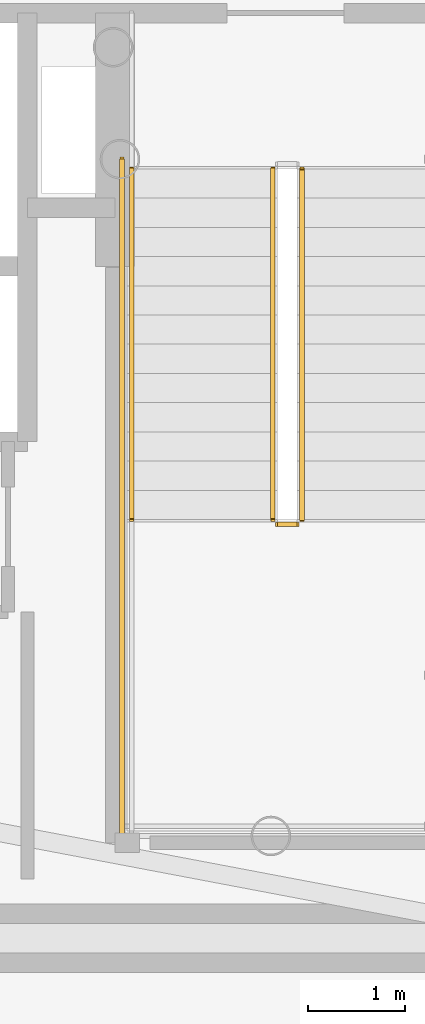
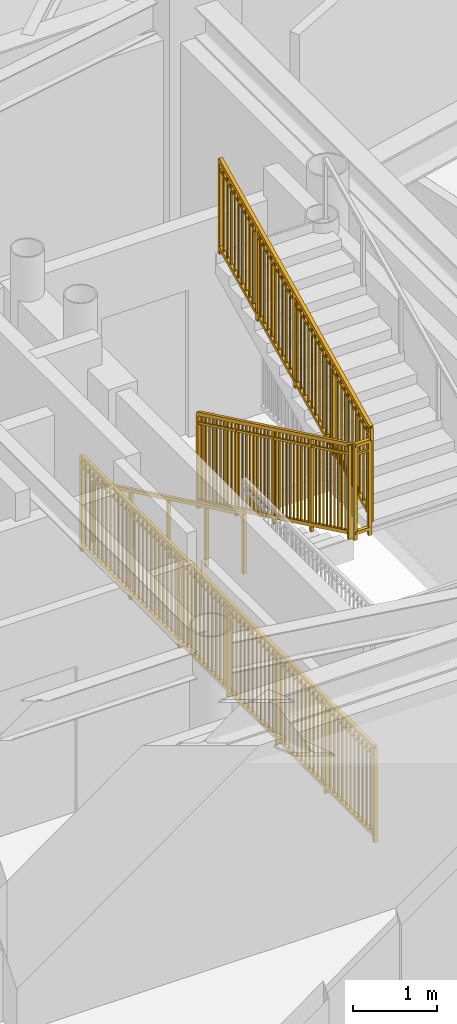
# One storey, part 14 of 18: 5 railings.
"""IFC4 building model written with IfcOpenShell, lengths in metres."""

from ifc_helpers import new_model, si_unit, direction, frame, origin, origin_2d, place, context, subcontext, project, spatial, rectangle, extrude, source, transform, mapped, material, type_object, element, save


model = new_model("IFC4")

# Units and contexts
model_context = context("Model", 3, precision=1e-05, world=origin(), true_north=direction((0.0, 1.0)))
body_context = subcontext(model_context, "Body", "Model", "MODEL_VIEW")
ifc_project = project(units=[si_unit("LENGTHUNIT", "METRE"), si_unit("AREAUNIT", "SQUARE_METRE"), si_unit("VOLUMEUNIT", "CUBIC_METRE"), si_unit("PLANEANGLEUNIT", "RADIAN"), si_unit("MASSUNIT", "GRAM", prefix="KILO")], contexts=[model_context])

# Site, building, storey
site_placement = place(None, origin())
site = spatial("IfcSite", under=ifc_project, at=site_placement, CompositionType="ELEMENT")
building_placement = place(site_placement, origin())
building = spatial("IfcBuilding", under=site, at=building_placement, Name="Linh Dai School and Residence Tower", CompositionType="ELEMENT")
storey_placement = place(building_placement, frame((0.0, 0.0, 225.300048828125)))
storey = spatial("IfcBuildingStorey", under=building, at=storey_placement, Name="L55", CompositionType="ELEMENT", Elevation=225.300048828125)

# Railings
ifc_material_1 = material(Name="Structural Steel S355JR", Category="steel")
railing_type_1 = type_object("IfcRailingType", Name="RL-ST-GUARD-1400", PredefinedType="GUARDRAIL", material=ifc_material_1)
shared_shape_1 = source(origin(), body_context, "Body", "SweptSolid", [
    extrude(rectangle(XDim=0.048095703125, YDim=0.048095703125, at=origin_2d()), frame((0.0, 0.0, 1.3759765625), z_axis=(0.0, 0.901262522062, 0.433273431364), x_axis=(-1.0, 0.0, 0.0)), (0.0, 0.0, 1.0), 3.994384765625),
    extrude(rectangle(XDim=0.048095703125, YDim=0.048095703125, at=origin_2d()), frame((0.0, 0.0, 0.10009765625), z_axis=(0.0, 0.901262522062, 0.433273431364), x_axis=(-1.0, 0.0, 0.0)), (0.0, 0.0, 1.0), 3.994384765625),
    extrude(rectangle(XDim=0.030029296875, YDim=0.030029296875, at=origin_2d()), frame((0.0, 0.0, 1.239990234375), z_axis=(0.0, 0.901262522062, 0.433273431364), x_axis=(-1.0, 0.0, 0.0)), (0.0, 0.0, 1.0), 3.994384765625),
    extrude(rectangle(XDim=0.02001953125, YDim=0.02001953125, at=origin_2d()), frame((0.0, 0.087890625, 0.142333984375)), (0.0, 0.0, 1.0), 1.251708984375),
    extrude(rectangle(XDim=0.02001953125, YDim=0.02001953125, at=origin_2d()), frame((0.0, 0.175537109375, 0.1845703125)), (0.0, 0.0, 1.0), 1.251708984375),
    extrude(rectangle(XDim=0.02001953125, YDim=0.02001953125, at=origin_2d()), frame((0.0, 0.263427734375, 0.226806640625)), (0.0, 0.0, 1.0), 1.251708984375),
    extrude(rectangle(XDim=0.02001953125, YDim=0.02001953125, at=origin_2d()), frame((0.0, 0.351318359375, 0.26904296875)), (0.0, 0.0, 1.0), 1.251708984375),
    extrude(rectangle(XDim=0.02001953125, YDim=0.02001953125, at=origin_2d()), frame((0.0, 0.43896484375, 0.311279296875)), (0.0, 0.0, 1.0), 1.251708984375),
    extrude(rectangle(XDim=0.02001953125, YDim=0.02001953125, at=origin_2d()), frame((0.0, 0.52685546875, 0.353271484375)), (0.0, 0.0, 1.0), 1.251708984375),
    extrude(rectangle(XDim=0.02001953125, YDim=0.02001953125, at=origin_2d()), frame((0.0, 0.61474609375, 0.3955078125)), (0.0, 0.0, 1.0), 1.251708984375),
    extrude(rectangle(XDim=0.02001953125, YDim=0.02001953125, at=origin_2d()), frame((0.0, 0.702392578125, 0.437744140625)), (0.0, 0.0, 1.0), 1.251708984375),
    extrude(rectangle(XDim=0.02001953125, YDim=0.02001953125, at=origin_2d()), frame((0.0, 0.790283203125, 0.47998046875)), (0.0, 0.0, 1.0), 1.251708984375),
    extrude(rectangle(XDim=0.02001953125, YDim=0.02001953125, at=origin_2d()), frame((0.0, 0.9658203125, 0.564453125)), (0.0, 0.0, 1.0), 1.251708984375),
    extrude(rectangle(XDim=0.02001953125, YDim=0.02001953125, at=origin_2d()), frame((0.0, 1.0537109375, 0.606689453125)), (0.0, 0.0, 1.0), 1.251708984375),
    extrude(rectangle(XDim=0.02001953125, YDim=0.02001953125, at=origin_2d()), frame((0.0, 1.1416015625, 0.64892578125)), (0.0, 0.0, 1.0), 1.251708984375),
    extrude(rectangle(XDim=0.02001953125, YDim=0.02001953125, at=origin_2d()), frame((0.0, 1.229248046875, 0.691162109375)), (0.0, 0.0, 1.0), 1.251708984375),
    extrude(rectangle(XDim=0.02001953125, YDim=0.02001953125, at=origin_2d()), frame((0.0, 1.317138671875, 0.7333984375)), (0.0, 0.0, 1.0), 1.251708984375),
    extrude(rectangle(XDim=0.02001953125, YDim=0.02001953125, at=origin_2d()), frame((0.0, 1.405029296875, 0.775390625)), (0.0, 0.0, 1.0), 1.251708984375),
    extrude(rectangle(XDim=0.02001953125, YDim=0.02001953125, at=origin_2d()), frame((0.0, 1.49267578125, 0.817626953125)), (0.0, 0.0, 1.0), 1.251708984375),
    extrude(rectangle(XDim=0.02001953125, YDim=0.02001953125, at=origin_2d()), frame((0.0, 1.58056640625, 0.85986328125)), (0.0, 0.0, 1.0), 1.251708984375),
    extrude(rectangle(XDim=0.02001953125, YDim=0.02001953125, at=origin_2d()), frame((0.0, 1.66845703125, 0.902099609375)), (0.0, 0.0, 1.0), 1.251708984375),
    extrude(rectangle(XDim=0.02001953125, YDim=0.02001953125, at=origin_2d()), frame((0.0, 1.756103515625, 0.9443359375)), (0.0, 0.0, 1.0), 1.251708984375),
    extrude(rectangle(XDim=0.02001953125, YDim=0.02001953125, at=origin_2d()), frame((0.0, 1.843994140625, 0.986572265625)), (0.0, 0.0, 1.0), 1.251708984375),
    extrude(rectangle(XDim=0.02001953125, YDim=0.02001953125, at=origin_2d()), frame((0.0, 1.931640625, 1.02880859375)), (0.0, 0.0, 1.0), 1.251708984375),
    extrude(rectangle(XDim=0.02001953125, YDim=0.02001953125, at=origin_2d()), frame((0.0, 2.01953125, 1.071044921875)), (0.0, 0.0, 1.0), 1.251708984375),
    extrude(rectangle(XDim=0.02001953125, YDim=0.02001953125, at=origin_2d()), frame((0.0, 2.107421875, 1.11328125)), (0.0, 0.0, 1.0), 1.251708984375),
    extrude(rectangle(XDim=0.02001953125, YDim=0.02001953125, at=origin_2d()), frame((0.0, 2.195068359375, 1.155517578125)), (0.0, 0.0, 1.0), 1.251708984375),
    extrude(rectangle(XDim=0.02001953125, YDim=0.02001953125, at=origin_2d()), frame((0.0, 2.282958984375, 1.197509765625)), (0.0, 0.0, 1.0), 1.251708984375),
    extrude(rectangle(XDim=0.02001953125, YDim=0.02001953125, at=origin_2d()), frame((0.0, 2.370849609375, 1.23974609375)), (0.0, 0.0, 1.0), 1.251708984375),
    extrude(rectangle(XDim=0.02001953125, YDim=0.02001953125, at=origin_2d()), frame((0.0, 2.45849609375, 1.281982421875)), (0.0, 0.0, 1.0), 1.251708984375),
    extrude(rectangle(XDim=0.02001953125, YDim=0.02001953125, at=origin_2d()), frame((0.0, 2.54638671875, 1.32421875)), (0.0, 0.0, 1.0), 1.251708984375),
    extrude(rectangle(XDim=0.02001953125, YDim=0.02001953125, at=origin_2d()), frame((0.0, 2.63427734375, 1.366455078125)), (0.0, 0.0, 1.0), 1.251708984375),
    extrude(rectangle(XDim=0.02001953125, YDim=0.02001953125, at=origin_2d()), frame((0.0, 2.809814453125, 1.450927734375)), (0.0, 0.0, 1.0), 1.251708984375),
    extrude(rectangle(XDim=0.02001953125, YDim=0.02001953125, at=origin_2d()), frame((0.0, 2.897705078125, 1.4931640625)), (0.0, 0.0, 1.0), 1.251708984375),
    extrude(rectangle(XDim=0.02001953125, YDim=0.02001953125, at=origin_2d()), frame((0.0, 2.9853515625, 1.535400390625)), (0.0, 0.0, 1.0), 1.251708984375),
    extrude(rectangle(XDim=0.02001953125, YDim=0.02001953125, at=origin_2d()), frame((0.0, 3.0732421875, 1.57763671875)), (0.0, 0.0, 1.0), 1.251708984375),
    extrude(rectangle(XDim=0.02001953125, YDim=0.02001953125, at=origin_2d()), frame((0.0, 3.1611328125, 1.61962890625)), (0.0, 0.0, 1.0), 1.251708984375),
    extrude(rectangle(XDim=0.02001953125, YDim=0.02001953125, at=origin_2d()), frame((0.0, 3.248779296875, 1.661865234375)), (0.0, 0.0, 1.0), 1.251708984375),
    extrude(rectangle(XDim=0.02001953125, YDim=0.02001953125, at=origin_2d()), frame((0.0, 3.336669921875, 1.7041015625)), (0.0, 0.0, 1.0), 1.251708984375),
    extrude(rectangle(XDim=0.02001953125, YDim=0.02001953125, at=origin_2d()), frame((0.0, 3.424560546875, 1.746337890625)), (0.0, 0.0, 1.0), 1.251708984375),
    extrude(rectangle(XDim=0.02001953125, YDim=0.02001953125, at=origin_2d()), frame((0.0, 3.51220703125, 1.78857421875)), (0.0, 0.0, 1.0), 1.251708984375),
    extrude(rectangle(XDim=0.0419921875, YDim=0.0419921875, at=origin_2d()), origin(), (0.0, 0.0, 1.0), 1.3759765625),
    extrude(rectangle(XDim=0.0419921875, YDim=0.0419921875, at=origin_2d()), frame((0.0, 0.89990234375, 0.4326171875)), (0.0, 0.0, 1.0), 1.3759765625),
    extrude(rectangle(XDim=0.0419921875, YDim=0.0419921875, at=origin_2d()), frame((0.0, 1.800048828125, 0.865234375)), (0.0, 0.0, 1.0), 1.3759765625),
    extrude(rectangle(XDim=0.0419921875, YDim=0.0419921875, at=origin_2d()), frame((0.0, 2.7001953125, 1.298095703125)), (0.0, 0.0, 1.0), 1.3759765625),
    extrude(rectangle(XDim=0.0419921875, YDim=0.0419921875, at=origin_2d()), frame((0.0, 3.60009765625, 1.730712890625)), (0.0, 0.0, 1.0), 1.3759765625),
])
railing_1_placement = place(storey_placement, frame((42.820068359375, 24.64990234375, 2.019287109375)))
element("IfcRailing", 1, at=railing_1_placement, inside=storey, type_object=railing_type_1, Name="L55 ST2 stair guard 6", PredefinedType="GUARDRAIL", context=body_context, shape_type="MappedRepresentation", body=[
    mapped(shared_shape_1, transform((0.0, 0.0, 0.0), x_axis=(1.0, 0.0, 0.0), y_axis=(0.0, 1.0, 0.0), z_axis=(0.0, 0.0, 1.0), scale=1.0)),
])
shared_shape_2 = source(origin(), body_context, "Body", "SweptSolid", [
    extrude(rectangle(XDim=0.048095703125, YDim=0.048095703125, at=origin_2d()), frame((0.0, 0.0, 1.3759765625), z_axis=(0.0, -0.901262522062, 0.433273431364), x_axis=(1.0, 0.0, 0.0)), (0.0, 0.0, 1.0), 3.994384765625),
    extrude(rectangle(XDim=0.048095703125, YDim=0.048095703125, at=origin_2d()), frame((0.0, 0.0, 0.10009765625), z_axis=(0.0, -0.901262522062, 0.433273431364), x_axis=(1.0, 0.0, 0.0)), (0.0, 0.0, 1.0), 3.994384765625),
    extrude(rectangle(XDim=0.030029296875, YDim=0.030029296875, at=origin_2d()), frame((0.0, 0.0, 1.239990234375), z_axis=(0.0, -0.901262522062, 0.433273431364), x_axis=(1.0, 0.0, 0.0)), (0.0, 0.0, 1.0), 3.994384765625),
    extrude(rectangle(XDim=0.02001953125, YDim=0.02001953125, at=origin_2d()), frame((0.0, -0.087890625, 0.142333984375)), (0.0, 0.0, 1.0), 1.251708984375),
    extrude(rectangle(XDim=0.02001953125, YDim=0.02001953125, at=origin_2d()), frame((0.0, -0.175537109375, 0.1845703125)), (0.0, 0.0, 1.0), 1.251708984375),
    extrude(rectangle(XDim=0.02001953125, YDim=0.02001953125, at=origin_2d()), frame((0.0, -0.263427734375, 0.226806640625)), (0.0, 0.0, 1.0), 1.251708984375),
    extrude(rectangle(XDim=0.02001953125, YDim=0.02001953125, at=origin_2d()), frame((0.0, -0.351318359375, 0.26904296875)), (0.0, 0.0, 1.0), 1.251708984375),
    extrude(rectangle(XDim=0.02001953125, YDim=0.02001953125, at=origin_2d()), frame((0.0, -0.43896484375, 0.311279296875)), (0.0, 0.0, 1.0), 1.251708984375),
    extrude(rectangle(XDim=0.02001953125, YDim=0.02001953125, at=origin_2d()), frame((0.0, -0.52685546875, 0.353271484375)), (0.0, 0.0, 1.0), 1.251708984375),
    extrude(rectangle(XDim=0.02001953125, YDim=0.02001953125, at=origin_2d()), frame((0.0, -0.61474609375, 0.3955078125)), (0.0, 0.0, 1.0), 1.251708984375),
    extrude(rectangle(XDim=0.02001953125, YDim=0.02001953125, at=origin_2d()), frame((0.0, -0.702392578125, 0.437744140625)), (0.0, 0.0, 1.0), 1.251708984375),
    extrude(rectangle(XDim=0.02001953125, YDim=0.02001953125, at=origin_2d()), frame((0.0, -0.790283203125, 0.47998046875)), (0.0, 0.0, 1.0), 1.251708984375),
    extrude(rectangle(XDim=0.02001953125, YDim=0.02001953125, at=origin_2d()), frame((0.0, -0.9658203125, 0.564453125)), (0.0, 0.0, 1.0), 1.251708984375),
    extrude(rectangle(XDim=0.02001953125, YDim=0.02001953125, at=origin_2d()), frame((0.0, -1.0537109375, 0.606689453125)), (0.0, 0.0, 1.0), 1.251708984375),
    extrude(rectangle(XDim=0.02001953125, YDim=0.02001953125, at=origin_2d()), frame((0.0, -1.1416015625, 0.64892578125)), (0.0, 0.0, 1.0), 1.251708984375),
    extrude(rectangle(XDim=0.02001953125, YDim=0.02001953125, at=origin_2d()), frame((0.0, -1.229248046875, 0.691162109375)), (0.0, 0.0, 1.0), 1.251708984375),
    extrude(rectangle(XDim=0.02001953125, YDim=0.02001953125, at=origin_2d()), frame((0.0, -1.317138671875, 0.7333984375)), (0.0, 0.0, 1.0), 1.251708984375),
    extrude(rectangle(XDim=0.02001953125, YDim=0.02001953125, at=origin_2d()), frame((0.0, -1.405029296875, 0.775390625)), (0.0, 0.0, 1.0), 1.251708984375),
    extrude(rectangle(XDim=0.02001953125, YDim=0.02001953125, at=origin_2d()), frame((0.0, -1.49267578125, 0.817626953125)), (0.0, 0.0, 1.0), 1.251708984375),
    extrude(rectangle(XDim=0.02001953125, YDim=0.02001953125, at=origin_2d()), frame((0.0, -1.58056640625, 0.85986328125)), (0.0, 0.0, 1.0), 1.251708984375),
    extrude(rectangle(XDim=0.02001953125, YDim=0.02001953125, at=origin_2d()), frame((0.0, -1.66845703125, 0.902099609375)), (0.0, 0.0, 1.0), 1.251708984375),
    extrude(rectangle(XDim=0.02001953125, YDim=0.02001953125, at=origin_2d()), frame((0.0, -1.756103515625, 0.9443359375)), (0.0, 0.0, 1.0), 1.251708984375),
    extrude(rectangle(XDim=0.02001953125, YDim=0.02001953125, at=origin_2d()), frame((0.0, -1.843994140625, 0.986572265625)), (0.0, 0.0, 1.0), 1.251708984375),
    extrude(rectangle(XDim=0.02001953125, YDim=0.02001953125, at=origin_2d()), frame((0.0, -1.931640625, 1.02880859375)), (0.0, 0.0, 1.0), 1.251708984375),
    extrude(rectangle(XDim=0.02001953125, YDim=0.02001953125, at=origin_2d()), frame((0.0, -2.01953125, 1.071044921875)), (0.0, 0.0, 1.0), 1.251708984375),
    extrude(rectangle(XDim=0.02001953125, YDim=0.02001953125, at=origin_2d()), frame((0.0, -2.107421875, 1.11328125)), (0.0, 0.0, 1.0), 1.251708984375),
    extrude(rectangle(XDim=0.02001953125, YDim=0.02001953125, at=origin_2d()), frame((0.0, -2.195068359375, 1.155517578125)), (0.0, 0.0, 1.0), 1.251708984375),
    extrude(rectangle(XDim=0.02001953125, YDim=0.02001953125, at=origin_2d()), frame((0.0, -2.282958984375, 1.197509765625)), (0.0, 0.0, 1.0), 1.251708984375),
    extrude(rectangle(XDim=0.02001953125, YDim=0.02001953125, at=origin_2d()), frame((0.0, -2.370849609375, 1.23974609375)), (0.0, 0.0, 1.0), 1.251708984375),
    extrude(rectangle(XDim=0.02001953125, YDim=0.02001953125, at=origin_2d()), frame((0.0, -2.45849609375, 1.281982421875)), (0.0, 0.0, 1.0), 1.251708984375),
    extrude(rectangle(XDim=0.02001953125, YDim=0.02001953125, at=origin_2d()), frame((0.0, -2.54638671875, 1.32421875)), (0.0, 0.0, 1.0), 1.251708984375),
    extrude(rectangle(XDim=0.02001953125, YDim=0.02001953125, at=origin_2d()), frame((0.0, -2.63427734375, 1.366455078125)), (0.0, 0.0, 1.0), 1.251708984375),
    extrude(rectangle(XDim=0.02001953125, YDim=0.02001953125, at=origin_2d()), frame((0.0, -2.809814453125, 1.450927734375)), (0.0, 0.0, 1.0), 1.251708984375),
    extrude(rectangle(XDim=0.02001953125, YDim=0.02001953125, at=origin_2d()), frame((0.0, -2.897705078125, 1.4931640625)), (0.0, 0.0, 1.0), 1.251708984375),
    extrude(rectangle(XDim=0.02001953125, YDim=0.02001953125, at=origin_2d()), frame((0.0, -2.9853515625, 1.535400390625)), (0.0, 0.0, 1.0), 1.251708984375),
    extrude(rectangle(XDim=0.02001953125, YDim=0.02001953125, at=origin_2d()), frame((0.0, -3.0732421875, 1.57763671875)), (0.0, 0.0, 1.0), 1.251708984375),
    extrude(rectangle(XDim=0.02001953125, YDim=0.02001953125, at=origin_2d()), frame((0.0, -3.1611328125, 1.61962890625)), (0.0, 0.0, 1.0), 1.251708984375),
    extrude(rectangle(XDim=0.02001953125, YDim=0.02001953125, at=origin_2d()), frame((0.0, -3.248779296875, 1.661865234375)), (0.0, 0.0, 1.0), 1.251708984375),
    extrude(rectangle(XDim=0.02001953125, YDim=0.02001953125, at=origin_2d()), frame((0.0, -3.336669921875, 1.7041015625)), (0.0, 0.0, 1.0), 1.251708984375),
    extrude(rectangle(XDim=0.02001953125, YDim=0.02001953125, at=origin_2d()), frame((0.0, -3.424560546875, 1.746337890625)), (0.0, 0.0, 1.0), 1.251708984375),
    extrude(rectangle(XDim=0.02001953125, YDim=0.02001953125, at=origin_2d()), frame((0.0, -3.51220703125, 1.78857421875)), (0.0, 0.0, 1.0), 1.251708984375),
    extrude(rectangle(XDim=0.0419921875, YDim=0.0419921875, at=origin_2d()), origin(), (0.0, 0.0, 1.0), 1.3759765625),
    extrude(rectangle(XDim=0.0419921875, YDim=0.0419921875, at=origin_2d()), frame((0.0, -0.89990234375, 0.4326171875)), (0.0, 0.0, 1.0), 1.3759765625),
    extrude(rectangle(XDim=0.0419921875, YDim=0.0419921875, at=origin_2d()), frame((0.0, -1.800048828125, 0.865234375)), (0.0, 0.0, 1.0), 1.3759765625),
    extrude(rectangle(XDim=0.0419921875, YDim=0.0419921875, at=origin_2d()), frame((0.0, -2.7001953125, 1.298095703125)), (0.0, 0.0, 1.0), 1.3759765625),
    extrude(rectangle(XDim=0.0419921875, YDim=0.0419921875, at=origin_2d()), frame((0.0, -3.60009765625, 1.730712890625)), (0.0, 0.0, 1.0), 1.3759765625),
])
railing_2_placement = place(storey_placement, frame((42.52001953125, 28.25, 0.144287109375)))
element("IfcRailing", 2, at=railing_2_placement, inside=storey, type_object=railing_type_1, Name="L55 ST2 stair guard 1", PredefinedType="GUARDRAIL", context=body_context, shape_type="MappedRepresentation", body=[
    mapped(shared_shape_2, transform((0.0, 0.0, 0.0), x_axis=(1.0, 0.0, 0.0), y_axis=(0.0, 1.0, 0.0), z_axis=(0.0, 0.0, 1.0), scale=1.0)),
])
ifc_material_2 = material(Name="Brushed Stainless Steel Handrail", Category="steel")
railing_type_2 = type_object("IfcRailingType", Name="RL-ST-HANDRAIL-900", PredefinedType="HANDRAIL", material=ifc_material_2)
shared_shape_3 = source(origin(), body_context, "Body", "SweptSolid", [
    extrude(rectangle(XDim=0.048095703125, YDim=0.048095703125, at=origin_2d()), frame((0.0, 0.0, 0.8759765625), z_axis=(0.0, -0.901262522062, 0.433273431364), x_axis=(1.0, 0.0, 0.0)), (0.0, 0.0, 1.0), 3.994384765625),
    extrude(rectangle(XDim=0.0419921875, YDim=0.0419921875, at=origin_2d()), origin(), (0.0, 0.0, 1.0), 0.8759765625),
    extrude(rectangle(XDim=0.0419921875, YDim=0.0419921875, at=origin_2d()), frame((0.0, -0.89990234375, 0.4326171875)), (0.0, 0.0, 1.0), 0.8759765625),
    extrude(rectangle(XDim=0.0419921875, YDim=0.0419921875, at=origin_2d()), frame((0.0, -1.800048828125, 0.865234375)), (0.0, 0.0, 1.0), 0.8759765625),
    extrude(rectangle(XDim=0.0419921875, YDim=0.0419921875, at=origin_2d()), frame((0.0, -2.7001953125, 1.298095703125)), (0.0, 0.0, 1.0), 0.8759765625),
    extrude(rectangle(XDim=0.0419921875, YDim=0.0419921875, at=origin_2d()), frame((0.0, -3.60009765625, 1.730712890625)), (0.0, 0.0, 1.0), 0.8759765625),
])
railing_3_placement = place(storey_placement, frame((41.070068359375, 28.25, 0.144287109375)))
element("IfcRailing", 3, at=railing_3_placement, inside=storey, type_object=railing_type_2, Name="L55 ST2 stair handrail 1", PredefinedType="HANDRAIL", context=body_context, shape_type="MappedRepresentation", body=[
    mapped(shared_shape_3, transform((0.0, 0.0, 0.0), x_axis=(1.0, 0.0, 0.0), y_axis=(0.0, 1.0, 0.0), z_axis=(0.0, 0.0, 1.0), scale=1.0)),
])
shared_shape_4 = source(origin(), body_context, "Body", "SweptSolid", [
    extrude(rectangle(XDim=0.048095703125, YDim=0.048095703125, at=origin_2d()), frame((0.0, 0.0, 1.3759765625), z_axis=(1.0, 0.0, 0.0), x_axis=(0.0, 1.0, 0.0)), (0.0, 0.0, 1.0), 0.199951171875),
    extrude(rectangle(XDim=0.048095703125, YDim=0.048095703125, at=origin_2d()), frame((0.0, 0.0, 0.10009765625), z_axis=(1.0, 0.0, 0.0), x_axis=(0.0, 1.0, 0.0)), (0.0, 0.0, 1.0), 0.199951171875),
    extrude(rectangle(XDim=0.030029296875, YDim=0.030029296875, at=origin_2d()), frame((0.0, 0.0, 1.239990234375), z_axis=(1.0, 0.0, 0.0), x_axis=(0.0, 1.0, 0.0)), (0.0, 0.0, 1.0), 0.199951171875),
    extrude(rectangle(XDim=0.0419921875, YDim=0.0419921875, at=origin_2d()), origin(), (0.0, 0.0, 1.0), 1.3759765625),
    extrude(rectangle(XDim=0.0419921875, YDim=0.0419921875, at=origin_2d()), frame((0.199951171875, 0.0, 0.0)), (0.0, 0.0, 1.0), 1.3759765625),
])
railing_4_placement = place(storey_placement, frame((42.570068359375, 24.60009765625, 1.875)))
element("IfcRailing", 4, at=railing_4_placement, inside=storey, type_object=railing_type_1, Name="L55 ST2 stair guard 2", PredefinedType="GUARDRAIL", context=body_context, shape_type="MappedRepresentation", body=[
    mapped(shared_shape_4, transform((0.0, 0.0, 0.0), x_axis=(1.0, 0.0, 0.0), y_axis=(0.0, 1.0, 0.0), z_axis=(0.0, 0.0, 1.0), scale=1.0)),
])
shared_shape_5 = source(origin(), body_context, "Body", "SweptSolid", [
    extrude(rectangle(XDim=0.048095703125, YDim=0.048095703125, at=origin_2d()), frame((0.0, 0.0, 1.3759765625), z_axis=(0.0, -1.0, 0.0), x_axis=(1.0, 0.0, 0.0)), (0.0, 0.0, 1.0), 7.0),
    extrude(rectangle(XDim=0.048095703125, YDim=0.048095703125, at=origin_2d()), frame((0.0, 0.0, 0.10009765625), z_axis=(0.0, -1.0, 0.0), x_axis=(1.0, 0.0, 0.0)), (0.0, 0.0, 1.0), 7.0),
    extrude(rectangle(XDim=0.030029296875, YDim=0.030029296875, at=origin_2d()), frame((0.0, 0.0, 1.239990234375), z_axis=(0.0, -1.0, 0.0), x_axis=(1.0, 0.0, 0.0)), (0.0, 0.0, 1.0), 7.0),
    extrude(rectangle(XDim=0.02001953125, YDim=0.02001953125, at=origin_2d()), frame((0.0, -0.09716796875, 0.10009765625)), (0.0, 0.0, 1.0), 1.251708984375),
    extrude(rectangle(XDim=0.02001953125, YDim=0.02001953125, at=origin_2d()), frame((0.0, -0.1943359375, 0.10009765625)), (0.0, 0.0, 1.0), 1.251708984375),
    extrude(rectangle(XDim=0.02001953125, YDim=0.02001953125, at=origin_2d()), frame((0.0, -0.291748046875, 0.10009765625)), (0.0, 0.0, 1.0), 1.251708984375),
    extrude(rectangle(XDim=0.02001953125, YDim=0.02001953125, at=origin_2d()), frame((0.0, -0.388916015625, 0.10009765625)), (0.0, 0.0, 1.0), 1.251708984375),
    extrude(rectangle(XDim=0.02001953125, YDim=0.02001953125, at=origin_2d()), frame((0.0, -0.486083984375, 0.10009765625)), (0.0, 0.0, 1.0), 1.251708984375),
    extrude(rectangle(XDim=0.02001953125, YDim=0.02001953125, at=origin_2d()), frame((0.0, -0.583251953125, 0.10009765625)), (0.0, 0.0, 1.0), 1.251708984375),
    extrude(rectangle(XDim=0.02001953125, YDim=0.02001953125, at=origin_2d()), frame((0.0, -0.6806640625, 0.10009765625)), (0.0, 0.0, 1.0), 1.251708984375),
    extrude(rectangle(XDim=0.02001953125, YDim=0.02001953125, at=origin_2d()), frame((0.0, -0.77783203125, 0.10009765625)), (0.0, 0.0, 1.0), 1.251708984375),
    extrude(rectangle(XDim=0.02001953125, YDim=0.02001953125, at=origin_2d()), frame((0.0, -0.875, 0.10009765625)), (0.0, 0.0, 1.0), 1.251708984375),
    extrude(rectangle(XDim=0.02001953125, YDim=0.02001953125, at=origin_2d()), frame((0.0, -0.97216796875, 0.10009765625)), (0.0, 0.0, 1.0), 1.251708984375),
    extrude(rectangle(XDim=0.02001953125, YDim=0.02001953125, at=origin_2d()), frame((0.0, -1.0693359375, 0.10009765625)), (0.0, 0.0, 1.0), 1.251708984375),
    extrude(rectangle(XDim=0.02001953125, YDim=0.02001953125, at=origin_2d()), frame((0.0, -1.263916015625, 0.10009765625)), (0.0, 0.0, 1.0), 1.251708984375),
    extrude(rectangle(XDim=0.02001953125, YDim=0.02001953125, at=origin_2d()), frame((0.0, -1.361083984375, 0.10009765625)), (0.0, 0.0, 1.0), 1.251708984375),
    extrude(rectangle(XDim=0.02001953125, YDim=0.02001953125, at=origin_2d()), frame((0.0, -1.458251953125, 0.10009765625)), (0.0, 0.0, 1.0), 1.251708984375),
    extrude(rectangle(XDim=0.02001953125, YDim=0.02001953125, at=origin_2d()), frame((0.0, -1.5556640625, 0.10009765625)), (0.0, 0.0, 1.0), 1.251708984375),
    extrude(rectangle(XDim=0.02001953125, YDim=0.02001953125, at=origin_2d()), frame((0.0, -1.65283203125, 0.10009765625)), (0.0, 0.0, 1.0), 1.251708984375),
    extrude(rectangle(XDim=0.02001953125, YDim=0.02001953125, at=origin_2d()), frame((0.0, -1.75, 0.10009765625)), (0.0, 0.0, 1.0), 1.251708984375),
    extrude(rectangle(XDim=0.02001953125, YDim=0.02001953125, at=origin_2d()), frame((0.0, -1.84716796875, 0.10009765625)), (0.0, 0.0, 1.0), 1.251708984375),
    extrude(rectangle(XDim=0.02001953125, YDim=0.02001953125, at=origin_2d()), frame((0.0, -1.9443359375, 0.10009765625)), (0.0, 0.0, 1.0), 1.251708984375),
    extrude(rectangle(XDim=0.02001953125, YDim=0.02001953125, at=origin_2d()), frame((0.0, -2.041748046875, 0.10009765625)), (0.0, 0.0, 1.0), 1.251708984375),
    extrude(rectangle(XDim=0.02001953125, YDim=0.02001953125, at=origin_2d()), frame((0.0, -2.138916015625, 0.10009765625)), (0.0, 0.0, 1.0), 1.251708984375),
    extrude(rectangle(XDim=0.02001953125, YDim=0.02001953125, at=origin_2d()), frame((0.0, -2.236083984375, 0.10009765625)), (0.0, 0.0, 1.0), 1.251708984375),
    extrude(rectangle(XDim=0.02001953125, YDim=0.02001953125, at=origin_2d()), frame((0.0, -2.4306640625, 0.10009765625)), (0.0, 0.0, 1.0), 1.251708984375),
    extrude(rectangle(XDim=0.02001953125, YDim=0.02001953125, at=origin_2d()), frame((0.0, -2.52783203125, 0.10009765625)), (0.0, 0.0, 1.0), 1.251708984375),
    extrude(rectangle(XDim=0.02001953125, YDim=0.02001953125, at=origin_2d()), frame((0.0, -2.625, 0.10009765625)), (0.0, 0.0, 1.0), 1.251708984375),
    extrude(rectangle(XDim=0.02001953125, YDim=0.02001953125, at=origin_2d()), frame((0.0, -2.72216796875, 0.10009765625)), (0.0, 0.0, 1.0), 1.251708984375),
    extrude(rectangle(XDim=0.02001953125, YDim=0.02001953125, at=origin_2d()), frame((0.0, -2.8193359375, 0.10009765625)), (0.0, 0.0, 1.0), 1.251708984375),
    extrude(rectangle(XDim=0.02001953125, YDim=0.02001953125, at=origin_2d()), frame((0.0, -2.916748046875, 0.10009765625)), (0.0, 0.0, 1.0), 1.251708984375),
    extrude(rectangle(XDim=0.02001953125, YDim=0.02001953125, at=origin_2d()), frame((0.0, -3.013916015625, 0.10009765625)), (0.0, 0.0, 1.0), 1.251708984375),
    extrude(rectangle(XDim=0.02001953125, YDim=0.02001953125, at=origin_2d()), frame((0.0, -3.111083984375, 0.10009765625)), (0.0, 0.0, 1.0), 1.251708984375),
    extrude(rectangle(XDim=0.02001953125, YDim=0.02001953125, at=origin_2d()), frame((0.0, -3.208251953125, 0.10009765625)), (0.0, 0.0, 1.0), 1.251708984375),
    extrude(rectangle(XDim=0.02001953125, YDim=0.02001953125, at=origin_2d()), frame((0.0, -3.3056640625, 0.10009765625)), (0.0, 0.0, 1.0), 1.251708984375),
    extrude(rectangle(XDim=0.02001953125, YDim=0.02001953125, at=origin_2d()), frame((0.0, -3.40283203125, 0.10009765625)), (0.0, 0.0, 1.0), 1.251708984375),
    extrude(rectangle(XDim=0.02001953125, YDim=0.02001953125, at=origin_2d()), frame((0.0, -3.59716796875, 0.10009765625)), (0.0, 0.0, 1.0), 1.251708984375),
    extrude(rectangle(XDim=0.02001953125, YDim=0.02001953125, at=origin_2d()), frame((0.0, -3.6943359375, 0.10009765625)), (0.0, 0.0, 1.0), 1.251708984375),
    extrude(rectangle(XDim=0.02001953125, YDim=0.02001953125, at=origin_2d()), frame((0.0, -3.791748046875, 0.10009765625)), (0.0, 0.0, 1.0), 1.251708984375),
    extrude(rectangle(XDim=0.02001953125, YDim=0.02001953125, at=origin_2d()), frame((0.0, -3.888916015625, 0.10009765625)), (0.0, 0.0, 1.0), 1.251708984375),
    extrude(rectangle(XDim=0.02001953125, YDim=0.02001953125, at=origin_2d()), frame((0.0, -3.986083984375, 0.10009765625)), (0.0, 0.0, 1.0), 1.251708984375),
    extrude(rectangle(XDim=0.02001953125, YDim=0.02001953125, at=origin_2d()), frame((0.0, -4.083251953125, 0.10009765625)), (0.0, 0.0, 1.0), 1.251708984375),
    extrude(rectangle(XDim=0.02001953125, YDim=0.02001953125, at=origin_2d()), frame((0.0, -4.1806640625, 0.10009765625)), (0.0, 0.0, 1.0), 1.251708984375),
    extrude(rectangle(XDim=0.02001953125, YDim=0.02001953125, at=origin_2d()), frame((0.0, -4.27783203125, 0.10009765625)), (0.0, 0.0, 1.0), 1.251708984375),
    extrude(rectangle(XDim=0.02001953125, YDim=0.02001953125, at=origin_2d()), frame((0.0, -4.375, 0.10009765625)), (0.0, 0.0, 1.0), 1.251708984375),
    extrude(rectangle(XDim=0.02001953125, YDim=0.02001953125, at=origin_2d()), frame((0.0, -4.47216796875, 0.10009765625)), (0.0, 0.0, 1.0), 1.251708984375),
    extrude(rectangle(XDim=0.02001953125, YDim=0.02001953125, at=origin_2d()), frame((0.0, -4.5693359375, 0.10009765625)), (0.0, 0.0, 1.0), 1.251708984375),
    extrude(rectangle(XDim=0.02001953125, YDim=0.02001953125, at=origin_2d()), frame((0.0, -4.763916015625, 0.10009765625)), (0.0, 0.0, 1.0), 1.251708984375),
    extrude(rectangle(XDim=0.02001953125, YDim=0.02001953125, at=origin_2d()), frame((0.0, -4.861083984375, 0.10009765625)), (0.0, 0.0, 1.0), 1.251708984375),
    extrude(rectangle(XDim=0.02001953125, YDim=0.02001953125, at=origin_2d()), frame((0.0, -4.958251953125, 0.10009765625)), (0.0, 0.0, 1.0), 1.251708984375),
    extrude(rectangle(XDim=0.02001953125, YDim=0.02001953125, at=origin_2d()), frame((0.0, -5.0556640625, 0.10009765625)), (0.0, 0.0, 1.0), 1.251708984375),
    extrude(rectangle(XDim=0.02001953125, YDim=0.02001953125, at=origin_2d()), frame((0.0, -5.15283203125, 0.10009765625)), (0.0, 0.0, 1.0), 1.251708984375),
    extrude(rectangle(XDim=0.02001953125, YDim=0.02001953125, at=origin_2d()), frame((0.0, -5.25, 0.10009765625)), (0.0, 0.0, 1.0), 1.251708984375),
    extrude(rectangle(XDim=0.02001953125, YDim=0.02001953125, at=origin_2d()), frame((0.0, -5.34716796875, 0.10009765625)), (0.0, 0.0, 1.0), 1.251708984375),
    extrude(rectangle(XDim=0.02001953125, YDim=0.02001953125, at=origin_2d()), frame((0.0, -5.4443359375, 0.10009765625)), (0.0, 0.0, 1.0), 1.251708984375),
    extrude(rectangle(XDim=0.02001953125, YDim=0.02001953125, at=origin_2d()), frame((0.0, -5.541748046875, 0.10009765625)), (0.0, 0.0, 1.0), 1.251708984375),
    extrude(rectangle(XDim=0.02001953125, YDim=0.02001953125, at=origin_2d()), frame((0.0, -5.638916015625, 0.10009765625)), (0.0, 0.0, 1.0), 1.251708984375),
    extrude(rectangle(XDim=0.02001953125, YDim=0.02001953125, at=origin_2d()), frame((0.0, -5.736083984375, 0.10009765625)), (0.0, 0.0, 1.0), 1.251708984375),
    extrude(rectangle(XDim=0.02001953125, YDim=0.02001953125, at=origin_2d()), frame((0.0, -5.9306640625, 0.10009765625)), (0.0, 0.0, 1.0), 1.251708984375),
    extrude(rectangle(XDim=0.02001953125, YDim=0.02001953125, at=origin_2d()), frame((0.0, -6.02783203125, 0.10009765625)), (0.0, 0.0, 1.0), 1.251708984375),
    extrude(rectangle(XDim=0.02001953125, YDim=0.02001953125, at=origin_2d()), frame((0.0, -6.125, 0.10009765625)), (0.0, 0.0, 1.0), 1.251708984375),
    extrude(rectangle(XDim=0.02001953125, YDim=0.02001953125, at=origin_2d()), frame((0.0, -6.22216796875, 0.10009765625)), (0.0, 0.0, 1.0), 1.251708984375),
    extrude(rectangle(XDim=0.02001953125, YDim=0.02001953125, at=origin_2d()), frame((0.0, -6.3193359375, 0.10009765625)), (0.0, 0.0, 1.0), 1.251708984375),
    extrude(rectangle(XDim=0.02001953125, YDim=0.02001953125, at=origin_2d()), frame((0.0, -6.416748046875, 0.10009765625)), (0.0, 0.0, 1.0), 1.251708984375),
    extrude(rectangle(XDim=0.02001953125, YDim=0.02001953125, at=origin_2d()), frame((0.0, -6.513916015625, 0.10009765625)), (0.0, 0.0, 1.0), 1.251708984375),
    extrude(rectangle(XDim=0.02001953125, YDim=0.02001953125, at=origin_2d()), frame((0.0, -6.611083984375, 0.10009765625)), (0.0, 0.0, 1.0), 1.251708984375),
    extrude(rectangle(XDim=0.02001953125, YDim=0.02001953125, at=origin_2d()), frame((0.0, -6.708251953125, 0.10009765625)), (0.0, 0.0, 1.0), 1.251708984375),
    extrude(rectangle(XDim=0.02001953125, YDim=0.02001953125, at=origin_2d()), frame((0.0, -6.8056640625, 0.10009765625)), (0.0, 0.0, 1.0), 1.251708984375),
    extrude(rectangle(XDim=0.02001953125, YDim=0.02001953125, at=origin_2d()), frame((0.0, -6.90283203125, 0.10009765625)), (0.0, 0.0, 1.0), 1.251708984375),
    extrude(rectangle(XDim=0.0419921875, YDim=0.0419921875, at=origin_2d()), origin(), (0.0, 0.0, 1.0), 1.3759765625),
    extrude(rectangle(XDim=0.0419921875, YDim=0.0419921875, at=origin_2d()), frame((0.0, -1.166748046875, 0.0)), (0.0, 0.0, 1.0), 1.3759765625),
    extrude(rectangle(XDim=0.0419921875, YDim=0.0419921875, at=origin_2d()), frame((0.0, -2.333251953125, 0.0)), (0.0, 0.0, 1.0), 1.3759765625),
    extrude(rectangle(XDim=0.0419921875, YDim=0.0419921875, at=origin_2d()), frame((0.0, -3.5, 0.0)), (0.0, 0.0, 1.0), 1.3759765625),
    extrude(rectangle(XDim=0.0419921875, YDim=0.0419921875, at=origin_2d()), frame((0.0, -4.666748046875, 0.0)), (0.0, 0.0, 1.0), 1.3759765625),
    extrude(rectangle(XDim=0.0419921875, YDim=0.0419921875, at=origin_2d()), frame((0.0, -5.833251953125, 0.0)), (0.0, 0.0, 1.0), 1.3759765625),
    extrude(rectangle(XDim=0.0419921875, YDim=0.0419921875, at=origin_2d()), frame((0.0, -7.0, 0.0)), (0.0, 0.0, 1.0), 1.3759765625),
])
railing_5_placement = place(storey_placement, frame((40.969970703125, 28.35009765625, 0.0)))
element("IfcRailing", 5, at=railing_5_placement, inside=storey, type_object=railing_type_1, Name="L55 ST2 stair guard 10", PredefinedType="GUARDRAIL", context=body_context, shape_type="MappedRepresentation", body=[
    mapped(shared_shape_5, transform((0.0, 0.0, 0.0), x_axis=(1.0, 0.0, 0.0), y_axis=(0.0, 1.0, 0.0), z_axis=(0.0, 0.0, 1.0), scale=1.0)),
])

save(model, "model.ifc")
